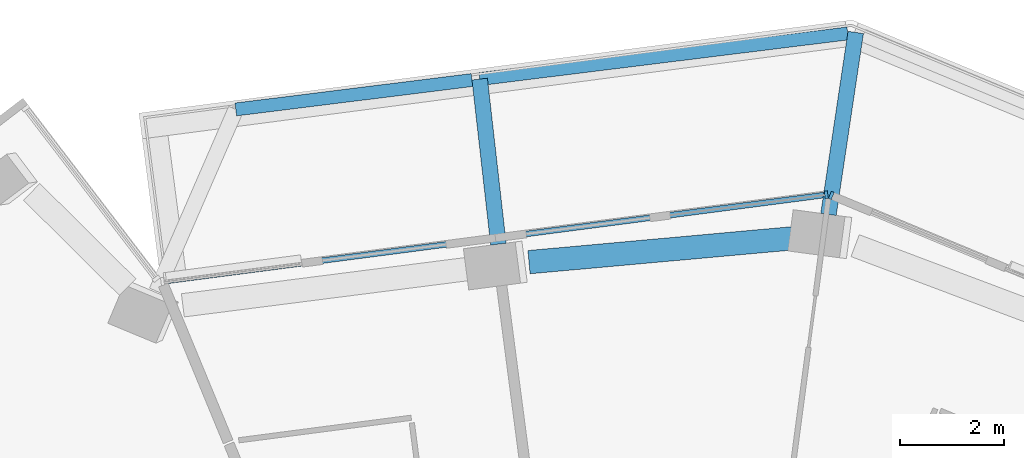
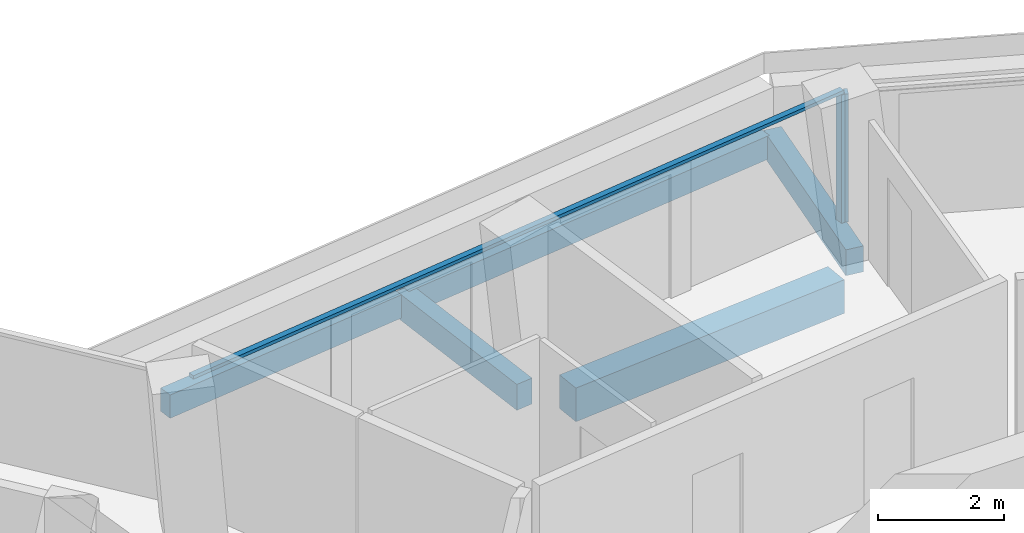
# One storey, part 8 of 25: 5 beams, 3 members, 2 elements without a shape of their own.
"""IFC4 building model written with IfcOpenShell, lengths in metres."""

from ifc_helpers import new_model, si_unit, direction, frame, origin, origin_2d, place, context, subcontext, project, spatial, rectangle, extrude, material, layer, layer_set, material_profile, profile_set, type_object, element, aggregate, save


model = new_model("IFC4")

# Units and contexts
model_context = context("Model", 3, precision=1e-05, world=origin(), true_north=direction((0.0, 1.0)))
body_context = subcontext(model_context, "Body", "Model", "MODEL_VIEW")
ifc_project = project(units=[si_unit("LENGTHUNIT", "METRE"), si_unit("AREAUNIT", "SQUARE_METRE"), si_unit("VOLUMEUNIT", "CUBIC_METRE"), si_unit("PLANEANGLEUNIT", "RADIAN"), si_unit("MASSUNIT", "GRAM", prefix="KILO")], contexts=[model_context])

# Site, building, storey
site_placement = place(None, origin())
site = spatial("IfcSite", under=ifc_project, at=site_placement, CompositionType="ELEMENT")
building_placement = place(site_placement, origin())
building = spatial("IfcBuilding", under=site, at=building_placement, Name="Verdalira Terraces Hotel", CompositionType="ELEMENT")
storey_placement = place(building_placement, frame((0.0, 0.0, 187.0)))
storey = spatial("IfcBuildingStorey", under=building, at=storey_placement, Name="L45", CompositionType="ELEMENT", Elevation=187.0)

# Beams
ifc_material_1 = material(Name="Concrete C40", Category="concrete")
ifc_material_profile_1 = material_profile(ifc_material_1, rectangle(XDim=0.300049, YDim=0.5, at=origin_2d()), Name="RC 300X500")
ifc_profile_set_1 = profile_set([ifc_material_profile_1], Name="Concrete C40")
beam_type_1 = type_object("IfcBeamType", Name="Balcony cantilever beam RC 300X500 C40", PredefinedType="BEAM", material=ifc_profile_set_1)
beam_1_placement = place(storey_placement, frame((3.285889, 24.43457, -0.560059), z_axis=(0.148148478, 0.98896513, 0.0), x_axis=(-0.98896513, 0.148148478, 0.0)))
element("IfcBeam", 1, at=beam_1_placement, inside=storey, type_object=beam_type_1, Name="Balcony cantilever beam R40-3", PredefinedType="BEAM", context=body_context, shape_type="SweptSolid", body=[
    extrude(rectangle(XDim=0.300049, YDim=0.5, at=origin_2d()), origin(), (0.0, 0.0, 1.0), 3.544678),
])
beam_2_placement = place(storey_placement, frame((-3.07373, 23.86084, -0.560059), z_axis=(-0.112884017, 0.993608172, 0.0), x_axis=(-0.993608172, -0.112884017, 0.0)))
element("IfcBeam", 2, at=beam_2_placement, inside=storey, type_object=beam_type_1, Name="Balcony cantilever beam R40-4", PredefinedType="BEAM", context=body_context, shape_type="SweptSolid", body=[
    extrude(rectangle(XDim=0.300049, YDim=0.5, at=origin_2d()), origin(), (0.0, 0.0, 1.0), 3.200928),
])
ifc_material_2 = material(Name="Concrete C40", Category="concrete")
ifc_material_profile_2 = material_profile(ifc_material_2, rectangle(XDim=0.25, YDim=0.449951, at=origin_2d()), Name="RC 250X450")
ifc_profile_set_2 = profile_set([ifc_material_profile_2], Name="Concrete C40")
beam_type_2 = type_object("IfcBeamType", Name="Balcony edge beam RC 250X450 C40", PredefinedType="BEAM", material=ifc_profile_set_2)
beam_3_placement = place(storey_placement, frame((3.656494, 27.920898, -0.534912), z_axis=(-0.992394646, -0.123096978, 0.0), x_axis=(0.123096978, -0.992394646, 0.0)))
element("IfcBeam", 3, at=beam_3_placement, inside=storey, type_object=beam_type_2, Name="Balcony edge beam R40-3", PredefinedType="BEAM", context=body_context, shape_type="SweptSolid", body=[
    extrude(rectangle(XDim=0.25, YDim=0.449951, at=origin_2d()), origin(), (0.0, 0.0, 1.0), 7.145996),
])
beam_4_placement = place(storey_placement, frame((-3.583984, 27.022705, -0.534912), z_axis=(-0.992342449, -0.12351706, 0.0), x_axis=(0.12351706, -0.992342449, 0.0)))
element("IfcBeam", 4, at=beam_4_placement, inside=storey, type_object=beam_type_2, Name="Balcony edge beam R40-4", PredefinedType="BEAM", context=body_context, shape_type="SweptSolid", body=[
    extrude(rectangle(XDim=0.25, YDim=0.449951, at=origin_2d()), origin(), (0.0, 0.0, 1.0), 4.585693),
])

# Curtain wall, member
ifc_material_3 = material(Name="Clear glass", Category="glass")
ifc_layer = layer(ifc_material_3, 0.14990234375)
ifc_layer_set = layer_set([ifc_layer], Name="CW1 curtain wall")
curtain_wall_type = type_object("IfcCurtainWallType", Name="CW1 curtain wall", PredefinedType="NOTDEFINED", material=ifc_layer_set)
curtain_wall_1_placement = place(storey_placement, origin())
curtain_wall_1 = element("IfcCurtainWall", 5, at=curtain_wall_1_placement, inside=storey, type_object=curtain_wall_type, Name="CW1 curtain wall L45 edge 40", PredefinedType="NOTDEFINED")
ifc_material_4 = material(Name="Terracotta frame", Category="masonry")
ifc_material_profile_3 = material_profile(ifc_material_4, rectangle(XDim=0.060059, YDim=0.149902, at=origin_2d()), Name="MU 60x150")
ifc_profile_set_3 = profile_set([ifc_material_profile_3], Name="Terracotta frame")
member_type_1 = type_object("IfcMemberType", Name="CW1 mullion 60x150", PredefinedType="MULLION", material=ifc_profile_set_3)
member_1_placement = place(storey_placement, frame((3.340088, 24.799561, 0.0), z_axis=(0.0, 0.0, 1.0), x_axis=(-0.923478281, 0.383650707, 0.0)))
member_1 = element("IfcMember", 6, at=member_1_placement, type_object=member_type_1, Name="CW1 mullion", PredefinedType="MULLION", context=body_context, shape_type="SweptSolid", body=[
    extrude(rectangle(XDim=0.060059, YDim=0.149902, at=origin_2d()), origin(), (0.0, 0.0, 1.0), 2.475098),
])
aggregate(curtain_wall_1, [member_1])

# Curtain wall, members
curtain_wall_2_placement = place(storey_placement, origin())
curtain_wall_2 = element("IfcCurtainWall", 7, at=curtain_wall_2_placement, inside=storey, type_object=curtain_wall_type, Name="CW1 curtain wall L45 edge 41", PredefinedType="NOTDEFINED")
member_2_placement = place(storey_placement, frame((3.244141, 24.812256, 0.0), z_axis=(0.0, 0.0, 1.0), x_axis=(-0.991581004, -0.129487882, 0.0)))
member_2 = element("IfcMember", 8, at=member_2_placement, type_object=member_type_1, Name="CW1 mullion", PredefinedType="MULLION", context=body_context, shape_type="SweptSolid", body=[
    extrude(rectangle(XDim=0.060059, YDim=0.149902, at=origin_2d()), origin(), (0.0, 0.0, 1.0), 2.475098),
])
ifc_material_5 = material(Name="Terracotta frame", Category="masonry")
ifc_material_profile_4 = material_profile(ifc_material_5, rectangle(XDim=0.110107, YDim=0.064941, at=origin_2d()), Name="TR 65x110")
ifc_profile_set_4 = profile_set([ifc_material_profile_4], Name="Terracotta frame")
member_type_2 = type_object("IfcMemberType", Name="CW1 transom 65x110", PredefinedType="USERDEFINED", material=ifc_profile_set_4)
member_3_placement = place(storey_placement, frame((3.273926, 24.816162, 2.507568), z_axis=(-0.99158002, -0.129495422, 0.0), x_axis=(0.129495422, -0.99158002, 0.0)))
member_3 = element("IfcMember", 9, at=member_3_placement, type_object=member_type_2, Name="CW1 transom", ObjectType="TRANSOM", PredefinedType="USERDEFINED", context=body_context, shape_type="SweptSolid", body=[
    extrude(rectangle(XDim=0.110107, YDim=0.064941, at=origin_2d()), origin(), (0.0, 0.0, 1.0), 12.959717),
])
aggregate(curtain_wall_2, [member_2, member_3])

# Beam
ifc_material_6 = material(Name="Concrete C50", Category="concrete")
ifc_material_profile_5 = material_profile(ifc_material_6, rectangle(XDim=0.449951, YDim=0.649902, at=origin_2d()), Name="RC 450X650")
ifc_profile_set_5 = profile_set([ifc_material_profile_5], Name="Concrete C50")
beam_type_3 = type_object("IfcBeamType", Name="Spandrel beam RC 450X650 C50", PredefinedType="SPANDREL", material=ifc_profile_set_5)
beam_5_placement = place(storey_placement, frame((2.686035, 23.981445, -0.63501), z_axis=(-0.995933575, -0.090090587, 0.0), x_axis=(0.090090587, -0.995933575, 0.0)))
element("IfcBeam", 10, at=beam_5_placement, inside=storey, type_object=beam_type_3, Name="Spandrel beam B22", PredefinedType="SPANDREL", context=body_context, shape_type="SweptSolid", body=[
    extrude(rectangle(XDim=0.449951, YDim=0.649902, at=origin_2d()), origin(), (0.0, 0.0, 1.0), 5.192139),
])

save(model, "model.ifc")
